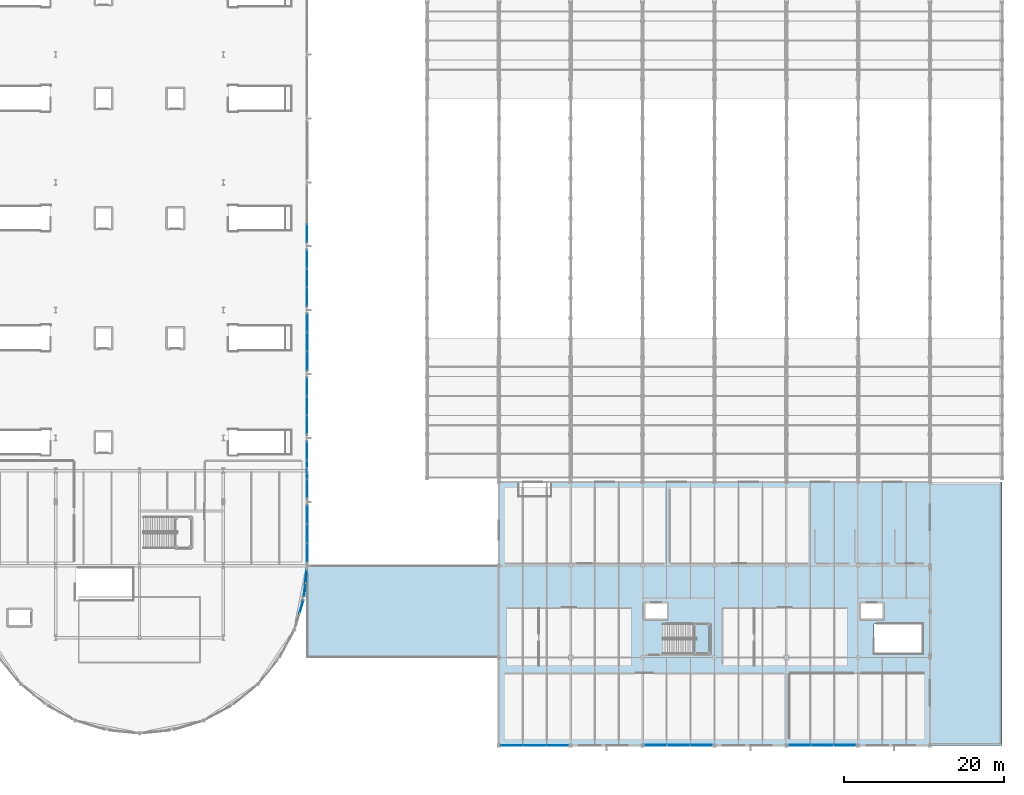
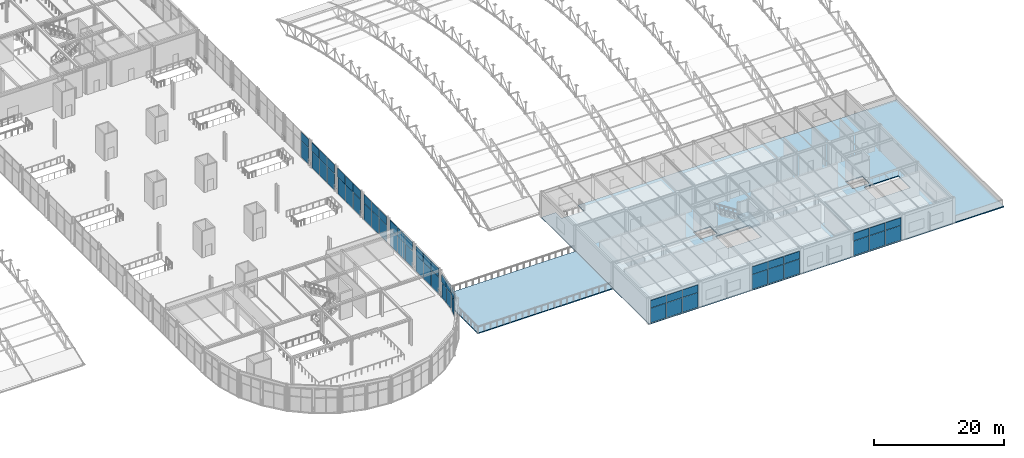
# One storey, part 101 of 195: 56 plates, 3 slabs, 12 elements without a shape of their own.
"""IFC4 building model written with IfcOpenShell, lengths in metres."""

import ifcopenshell
import ifcopenshell.guid

model = None  # the IFC model being written
_history = None  # IfcOwnerHistory: only IFC2X3 demands one
_inside = {}  # id of a spatial element -> (the spatial element, [elements in it])
_under = {}  # id of a project, library or spatial element -> (it, [spatial elements below it])
_declared = {}  # id of a project -> (the project, [libraries it declares])
_typed = {}  # id of a type object -> (the type object, [elements of that type])
_made_of = {}  # id of a material, layer set ... -> (it, [elements and type objects made of it])


def new_model(schema):
    """Start an empty IFC model of exactly this schema.

    Asked for "IFC4X3", IfcOpenShell would pick the latest addendum, in which some entities
    have other attributes; the version numbers below select the first issue.
    IFC2X3 requires an IfcOwnerHistory on every rooted entity: one is made here for all.
    """
    global model, _history
    if schema == "IFC4X3":
        model = ifcopenshell.file(schema_version=(4, 3, 0, 0))
    else:
        model = ifcopenshell.file(schema=schema)
    _inside.clear()
    _under.clear()
    _declared.clear()
    _typed.clear()
    _made_of.clear()
    _history = None
    if model.schema == "IFC2X3":
        org = make("IfcOrganization", Name="unknown")
        user = make(
            "IfcPersonAndOrganization",
            ThePerson=make("IfcPerson", FamilyName="unknown"),
            TheOrganization=org,
        )
        app = make(
            "IfcApplication",
            ApplicationDeveloper=org,
            Version="unknown",
            ApplicationFullName="unknown",
            ApplicationIdentifier="unknown",
        )
        _history = make(
            "IfcOwnerHistory",
            OwningUser=user,
            OwningApplication=app,
            ChangeAction="ADDED",
            CreationDate=0,
        )
    return model


def make(cls, **values):
    """One entity of the class cls with the attributes given. An attribute that is None is left unset."""
    return model.create_entity(
        cls, **{name: value for name, value in values.items() if value is not None}
    )


def rooted(cls, **values):
    """An entity with a GlobalId (a new one), such as an element, a storey or a relation."""
    return make(cls, GlobalId=ifcopenshell.guid.new(), OwnerHistory=_history, **values)


def si_unit(unit_type, name, prefix=None):
    """IfcSIUnit, for example si_unit("LENGTHUNIT", "METRE", prefix="MILLI")."""
    return make("IfcSIUnit", UnitType=unit_type, Prefix=prefix, Name=name)


def assignment(units):
    """IfcUnitAssignment: the units of a project."""
    return None if units is None else make("IfcUnitAssignment", Units=units)


def point(xyz):
    """IfcCartesianPoint."""
    return None if xyz is None else make("IfcCartesianPoint", Coordinates=xyz)


def direction(xyz):
    """IfcDirection."""
    return None if xyz is None else make("IfcDirection", DirectionRatios=xyz)


def frame(location, z_axis=None, x_axis=None):
    """IfcAxis2Placement3D, a coordinate frame: its origin and axes. An axis left out is left unset."""
    return make(
        "IfcAxis2Placement3D",
        Location=point(location),
        Axis=direction(z_axis),
        RefDirection=direction(x_axis),
    )


def frame_2d(location, x_axis=None):
    """IfcAxis2Placement2D, a coordinate frame in the plane: its origin and x axis."""
    return make(
        "IfcAxis2Placement2D", Location=point(location), RefDirection=direction(x_axis)
    )


def origin():
    """The frame at (0, 0, 0) with its axes left unset."""
    return frame((0.0, 0.0, 0.0))


def origin_2d():
    """The frame at (0, 0) in the plane with its x axis left unset."""
    return frame_2d((0.0, 0.0))


def place(relative_to, where):
    """IfcLocalPlacement: puts the frame where relative to a parent placement (None: the world)."""
    return make(
        "IfcLocalPlacement", PlacementRelTo=relative_to, RelativePlacement=where
    )


def context(
    kind, dimensions, precision=None, world=None, true_north=None, identifier=None
):
    """IfcGeometricRepresentationContext, for example the 3D "Model" context."""
    return make(
        "IfcGeometricRepresentationContext",
        ContextIdentifier=identifier,
        ContextType=kind,
        CoordinateSpaceDimension=dimensions,
        Precision=precision,
        WorldCoordinateSystem=world,
        TrueNorth=true_north,
    )


def subcontext(parent, identifier, kind, view, scale=None):
    """IfcGeometricRepresentationSubContext, for example "Body" below "Model"."""
    return make(
        "IfcGeometricRepresentationSubContext",
        ContextIdentifier=identifier,
        ContextType=kind,
        ParentContext=parent,
        TargetScale=scale,
        TargetView=view,
    )


def project(units=None, contexts=None):
    """IfcProject with its units and contexts."""
    return rooted(
        "IfcProject",
        Name="project",
        RepresentationContexts=contexts,
        UnitsInContext=assignment(units),
    )


def spatial(cls, under=None, at=None, **own):
    """A site, building, storey or space (cls), placed at a placement, below another one or the project."""
    s = rooted(cls, ObjectPlacement=at, **own)
    if under is not None:
        _under.setdefault(under.id(), (under, []))[1].append(s)
    return s


def polyline(points):
    """IfcPolyline through the points."""
    return make("IfcPolyline", Points=[point(p) for p in points])


def profile(cls, at=None, kind="AREA", **sizes):
    """A parametric profile (cls). Its sizes go by their IFC names, for example OverallWidth=200.0."""
    return make(cls, ProfileType=kind, Position=at, **sizes)


def rectangle(**sizes):
    """IfcRectangleProfileDef."""
    return profile("IfcRectangleProfileDef", **sizes)


def outline(outer, holes=None, kind="AREA"):
    """IfcArbitraryClosedProfileDef: a profile drawn as a closed curve; with holes, ...WithVoids."""
    if holes is None:
        return make("IfcArbitraryClosedProfileDef", ProfileType=kind, OuterCurve=outer)
    return make(
        "IfcArbitraryProfileDefWithVoids",
        ProfileType=kind,
        OuterCurve=outer,
        InnerCurves=holes,
    )


def extrude(swept, where, along, depth):
    """IfcExtrudedAreaSolid: the profile swept, set in the frame where, extruded along a direction by depth."""
    return make(
        "IfcExtrudedAreaSolid",
        SweptArea=swept,
        Position=where,
        ExtrudedDirection=direction(along),
        Depth=depth,
    )


def shape(context_of_items, identifier, shape_type, items):
    """IfcShapeRepresentation: the items that make up one representation, for example the "Body"."""
    return make(
        "IfcShapeRepresentation",
        ContextOfItems=context_of_items,
        RepresentationIdentifier=identifier,
        RepresentationType=shape_type,
        Items=items,
    )


def material(Name=None, Category=None):
    """IfcMaterial."""
    return make("IfcMaterial", Name=Name, Category=Category)


def layer(
    of_material, thickness, ventilated=None, Name=None, Category=None, Priority=None
):
    """IfcMaterialLayer: one layer of a wall or slab, of a material (None: an air gap)."""
    return make(
        "IfcMaterialLayer",
        Material=of_material,
        LayerThickness=thickness,
        IsVentilated=ventilated,
        Name=Name,
        Category=Category,
        Priority=Priority,
    )


def layer_set(layers, Name=None):
    """IfcMaterialLayerSet."""
    return make("IfcMaterialLayerSet", MaterialLayers=layers, LayerSetName=Name)


def made_of(thing, what):
    """Note that an element or type object is made of a material, layer set ...; save() writes the relation."""
    if what is not None:
        _made_of.setdefault(what.id(), (what, []))[1].append(thing)
    return thing


def type_object(cls, material=None, **own):
    """A type object (cls), such as IfcWallType, which elements share."""
    return made_of(rooted(cls, **own), material)


def element(
    cls,
    number,
    at=None,
    inside=None,
    cuts=None,
    type_object=None,
    material=None,
    context=None,
    identifier="Body",
    shape_type=None,
    held_by="IfcProductDefinitionShape",
    body=None,
    shapes=None,
    **own,
):
    """One element of the class cls, such as IfcWall. Its Tag is "e" and its number.

    at: its placement. inside: the storey or other place that contains it. cuts: it is an
    opening in that element (IfcRelVoidsElement). A single representation is given by context,
    identifier, shape_type and body (its items); several are given by shapes. held_by: the class
    of the entity that holds the representations. save() writes the other relations.
    """
    e = rooted(cls, Tag="e%d" % number, ObjectPlacement=at, **own)
    if body is not None:
        shapes = [shape(context, identifier, shape_type, body)]
    if shapes is not None:
        e.Representation = make(held_by, Representations=shapes)
    if inside is not None:
        _inside.setdefault(inside.id(), (inside, []))[1].append(e)
    if cuts is not None:
        rooted(
            "IfcRelVoidsElement", RelatingBuildingElement=cuts, RelatedOpeningElement=e
        )
    if type_object is not None:
        _typed.setdefault(type_object.id(), (type_object, []))[1].append(e)
    return made_of(e, material)


def aggregate(whole, parts):
    """IfcRelAggregates: a whole, such as a stair, and the parts it consists of."""
    return rooted("IfcRelAggregates", RelatingObject=whole, RelatedObjects=parts)


def save(model, path):
    """Write the relations noted so far, then the file.

    IfcRelAggregates (storeys below a building ...), IfcRelContainedInSpatialStructure (elements
    in a storey), IfcRelDefinesByType, IfcRelAssociatesMaterial and IfcRelDeclares: one each for
    every whole, place, type object, material and project.
    """
    for whole, parts in _under.values():
        aggregate(whole, parts)
    for where, things in _inside.values():
        rooted(
            "IfcRelContainedInSpatialStructure",
            RelatedElements=things,
            RelatingStructure=where,
        )
    for kind, things in _typed.values():
        rooted("IfcRelDefinesByType", RelatedObjects=things, RelatingType=kind)
    for what, things in _made_of.values():
        rooted("IfcRelAssociatesMaterial", RelatedObjects=things, RelatingMaterial=what)
    for by, libraries in _declared.values():
        rooted("IfcRelDeclares", RelatingContext=by, RelatedDefinitions=libraries)
    model.write(path)


model = new_model("IFC4")

# Units and contexts
model_context = context("Model", 3, precision=1e-05, world=origin(), true_north=direction((0.0, 1.0)))
body_context = subcontext(model_context, "Body", "Model", "MODEL_VIEW")
ifc_project = project(units=[si_unit("LENGTHUNIT", "METRE"), si_unit("AREAUNIT", "SQUARE_METRE"), si_unit("VOLUMEUNIT", "CUBIC_METRE"), si_unit("PLANEANGLEUNIT", "RADIAN"), si_unit("MASSUNIT", "GRAM", prefix="KILO")], contexts=[model_context])

# Site, building, storey
site_placement = place(None, origin())
site = spatial("IfcSite", under=ifc_project, at=site_placement, CompositionType="ELEMENT")
building_placement = place(site_placement, origin())
building = spatial("IfcBuilding", under=site, at=building_placement, Name="Marlcrest Central Station", CompositionType="ELEMENT")
storey_placement = place(building_placement, frame((0.0, 0.0, 9.800048828125)))
storey = spatial("IfcBuildingStorey", under=building, at=storey_placement, Name="L02", CompositionType="ELEMENT", Elevation=9.800048828125)

# Curtain wall, plate
ifc_material_1 = material(Name="Anodised aluminium and hurricane laminated glass", Category="aluminium")
ifc_layer_1 = layer(ifc_material_1, 0.219970703125, Name="CW-U1")
ifc_layer_set_1 = layer_set([ifc_layer_1], Name="Anodised aluminium and hurricane laminated glass")
curtain_wall_type_1 = type_object("IfcCurtainWallType", Name="CW-U1", PredefinedType="USERDEFINED", material=ifc_layer_set_1)
curtain_wall_1_placement = place(storey_placement, origin())
curtain_wall_1 = element("IfcCurtainWall", 1, at=curtain_wall_1_placement, inside=storey, type_object=curtain_wall_type_1, Name="cw-L02-0039", ObjectType="UNITISED_CURTAIN_WALL", PredefinedType="USERDEFINED")
ifc_material_2 = material(Name="Hurricane laminated solar-control glass", Category="glass")
ifc_layer_2 = layer(ifc_material_2, 0.031982421875, Name="CP-01")
ifc_layer_set_2 = layer_set([ifc_layer_2], Name="Hurricane laminated solar-control glass")
plate_type_1 = type_object("IfcPlateType", Name="CP-01", PredefinedType="CURTAIN_PANEL", material=ifc_layer_set_2)
plate_1_placement = place(storey_placement, frame((128.28173828125, 17.3671875, 0.080078125), z_axis=(0.0, 0.0, 1.0), x_axis=(-0.290318080597, -0.956930202302, 0.0)))
plate_1 = element("IfcPlate", 2, at=plate_1_placement, type_object=plate_type_1, Name="cw-L02-0039-cp-lo-0", PredefinedType="CURTAIN_PANEL", context=body_context, shape_type="SweptSolid", body=[
    extrude(rectangle(XDim=1.67724609375, YDim=0.031982421875, at=origin_2d()), origin(), (0.0, 0.0, 1.0), 2.804931640625),
])

# Curtain wall, plates
curtain_wall_2_placement = place(storey_placement, origin())
curtain_wall_2 = element("IfcCurtainWall", 3, at=curtain_wall_2_placement, inside=storey, type_object=curtain_wall_type_1, Name="cw-L02-0040", ObjectType="UNITISED_CURTAIN_WALL", PredefinedType="USERDEFINED")
plate_2_placement = place(storey_placement, frame((128.865234375, 21.134521484375, 0.080078125), z_axis=(0.0, 0.0, 1.0), x_axis=(-0.098138724349, -0.995172744192, 0.0)))
plate_2 = element("IfcPlate", 4, at=plate_2_placement, type_object=plate_type_1, Name="cw-L02-0040-cp-lo-0", PredefinedType="CURTAIN_PANEL", context=body_context, shape_type="SweptSolid", body=[
    extrude(rectangle(XDim=1.61669921875, YDim=0.031982421875, at=origin_2d()), origin(), (0.0, 0.0, 1.0), 2.804931640625),
])
plate_3_placement = place(storey_placement, frame((128.69921875, 19.4501953125, 0.080078125), z_axis=(0.0, 0.0, 1.0), x_axis=(-0.098138724349, -0.995172744192, 0.0)))
plate_3 = element("IfcPlate", 5, at=plate_3_placement, type_object=plate_type_1, Name="cw-L02-0040-cp-lo-1", PredefinedType="CURTAIN_PANEL", context=body_context, shape_type="SweptSolid", body=[
    extrude(rectangle(XDim=1.61669921875, YDim=0.031982421875, at=origin_2d()), origin(), (0.0, 0.0, 1.0), 2.804931640625),
])

curtain_wall_3_placement = place(storey_placement, origin())
curtain_wall_3 = element("IfcCurtainWall", 6, at=curtain_wall_3_placement, inside=storey, type_object=curtain_wall_type_1, Name="cw-L02-0100", ObjectType="UNITISED_CURTAIN_WALL", PredefinedType="USERDEFINED")
plate_4_placement = place(storey_placement, frame((129.0, 28.86669921875, 0.080078125), z_axis=(0.0, 0.0, 1.0), x_axis=(0.0, -1.0, 0.0)))
plate_4 = element("IfcPlate", 7, at=plate_4_placement, type_object=plate_type_1, Name="cw-L02-0100-cp-lo-0", PredefinedType="CURTAIN_PANEL", context=body_context, shape_type="SweptSolid", body=[
    extrude(rectangle(XDim=2.290771484375, YDim=0.031982421875, at=origin_2d()), origin(), (0.0, 0.0, 1.0), 3.097900390625),
])
plate_5_placement = place(storey_placement, frame((129.0, 26.5, 0.080078125), z_axis=(0.0, 0.0, 1.0), x_axis=(0.0, -1.0, 0.0)))
plate_5 = element("IfcPlate", 8, at=plate_5_placement, type_object=plate_type_1, Name="cw-L02-0100-cp-lo-1", PredefinedType="CURTAIN_PANEL", context=body_context, shape_type="SweptSolid", body=[
    extrude(rectangle(XDim=2.290771484375, YDim=0.031982421875, at=origin_2d()), origin(), (0.0, 0.0, 1.0), 3.097900390625),
])
plate_6_placement = place(storey_placement, frame((129.0, 24.13330078125, 0.080078125), z_axis=(0.0, 0.0, 1.0), x_axis=(0.0, -1.0, 0.0)))
plate_6 = element("IfcPlate", 9, at=plate_6_placement, type_object=plate_type_1, Name="cw-L02-0100-cp-lo-2", PredefinedType="CURTAIN_PANEL", context=body_context, shape_type="SweptSolid", body=[
    extrude(rectangle(XDim=2.290771484375, YDim=0.031982421875, at=origin_2d()), origin(), (0.0, 0.0, 1.0), 3.097900390625),
])

curtain_wall_4_placement = place(storey_placement, origin())
curtain_wall_4 = element("IfcCurtainWall", 10, at=curtain_wall_4_placement, inside=storey, type_object=curtain_wall_type_1, Name="cw-L02-0104", ObjectType="UNITISED_CURTAIN_WALL", PredefinedType="USERDEFINED")
plate_7_placement = place(storey_placement, frame((129.0, 36.86669921875, 0.080078125), z_axis=(0.0, 0.0, 1.0), x_axis=(0.0, -1.0, 0.0)))
plate_7 = element("IfcPlate", 11, at=plate_7_placement, type_object=plate_type_1, Name="cw-L02-0104-cp-lo-0", PredefinedType="CURTAIN_PANEL", context=body_context, shape_type="SweptSolid", body=[
    extrude(rectangle(XDim=2.290771484375, YDim=0.031982421875, at=origin_2d()), origin(), (0.0, 0.0, 1.0), 3.097900390625),
])
plate_8_placement = place(storey_placement, frame((129.0, 34.5, 0.080078125), z_axis=(0.0, 0.0, 1.0), x_axis=(0.0, -1.0, 0.0)))
plate_8 = element("IfcPlate", 12, at=plate_8_placement, type_object=plate_type_1, Name="cw-L02-0104-cp-lo-1", PredefinedType="CURTAIN_PANEL", context=body_context, shape_type="SweptSolid", body=[
    extrude(rectangle(XDim=2.290771484375, YDim=0.031982421875, at=origin_2d()), origin(), (0.0, 0.0, 1.0), 3.097900390625),
])
plate_9_placement = place(storey_placement, frame((129.0, 32.13330078125, 0.080078125), z_axis=(0.0, 0.0, 1.0), x_axis=(0.0, -1.0, 0.0)))
plate_9 = element("IfcPlate", 13, at=plate_9_placement, type_object=plate_type_1, Name="cw-L02-0104-cp-lo-2", PredefinedType="CURTAIN_PANEL", context=body_context, shape_type="SweptSolid", body=[
    extrude(rectangle(XDim=2.290771484375, YDim=0.031982421875, at=origin_2d()), origin(), (0.0, 0.0, 1.0), 3.097900390625),
])

curtain_wall_5_placement = place(storey_placement, origin())
curtain_wall_5 = element("IfcCurtainWall", 14, at=curtain_wall_5_placement, inside=storey, type_object=curtain_wall_type_1, Name="cw-L02-0108", ObjectType="UNITISED_CURTAIN_WALL", PredefinedType="USERDEFINED")
plate_10_placement = place(storey_placement, frame((129.0, 44.86669921875, 0.080078125), z_axis=(0.0, 0.0, 1.0), x_axis=(0.0, -1.0, 0.0)))
plate_10 = element("IfcPlate", 15, at=plate_10_placement, type_object=plate_type_1, Name="cw-L02-0108-cp-lo-0", PredefinedType="CURTAIN_PANEL", context=body_context, shape_type="SweptSolid", body=[
    extrude(rectangle(XDim=2.290771484375, YDim=0.031982421875, at=origin_2d()), origin(), (0.0, 0.0, 1.0), 3.097900390625),
])
plate_11_placement = place(storey_placement, frame((129.0, 42.5, 0.080078125), z_axis=(0.0, 0.0, 1.0), x_axis=(0.0, -1.0, 0.0)))
plate_11 = element("IfcPlate", 16, at=plate_11_placement, type_object=plate_type_1, Name="cw-L02-0108-cp-lo-1", PredefinedType="CURTAIN_PANEL", context=body_context, shape_type="SweptSolid", body=[
    extrude(rectangle(XDim=2.290771484375, YDim=0.031982421875, at=origin_2d()), origin(), (0.0, 0.0, 1.0), 3.097900390625),
])
plate_12_placement = place(storey_placement, frame((129.0, 40.13330078125, 0.080078125), z_axis=(0.0, 0.0, 1.0), x_axis=(0.0, -1.0, 0.0)))
plate_12 = element("IfcPlate", 17, at=plate_12_placement, type_object=plate_type_1, Name="cw-L02-0108-cp-lo-2", PredefinedType="CURTAIN_PANEL", context=body_context, shape_type="SweptSolid", body=[
    extrude(rectangle(XDim=2.290771484375, YDim=0.031982421875, at=origin_2d()), origin(), (0.0, 0.0, 1.0), 3.097900390625),
])

curtain_wall_6_placement = place(storey_placement, origin())
curtain_wall_6 = element("IfcCurtainWall", 18, at=curtain_wall_6_placement, inside=storey, type_object=curtain_wall_type_1, Name="cw-L02-0112", ObjectType="UNITISED_CURTAIN_WALL", PredefinedType="USERDEFINED")
plate_13_placement = place(storey_placement, frame((129.0, 52.86669921875, 0.080078125), z_axis=(0.0, 0.0, 1.0), x_axis=(0.0, -1.0, 0.0)))
plate_13 = element("IfcPlate", 19, at=plate_13_placement, type_object=plate_type_1, Name="cw-L02-0112-cp-lo-0", PredefinedType="CURTAIN_PANEL", context=body_context, shape_type="SweptSolid", body=[
    extrude(rectangle(XDim=2.290771484375, YDim=0.031982421875, at=origin_2d()), origin(), (0.0, 0.0, 1.0), 3.097900390625),
])
plate_14_placement = place(storey_placement, frame((129.0, 50.5, 0.080078125), z_axis=(0.0, 0.0, 1.0), x_axis=(0.0, -1.0, 0.0)))
plate_14 = element("IfcPlate", 20, at=plate_14_placement, type_object=plate_type_1, Name="cw-L02-0112-cp-lo-1", PredefinedType="CURTAIN_PANEL", context=body_context, shape_type="SweptSolid", body=[
    extrude(rectangle(XDim=2.290771484375, YDim=0.031982421875, at=origin_2d()), origin(), (0.0, 0.0, 1.0), 3.097900390625),
])
plate_15_placement = place(storey_placement, frame((129.0, 48.13330078125, 0.080078125), z_axis=(0.0, 0.0, 1.0), x_axis=(0.0, -1.0, 0.0)))
plate_15 = element("IfcPlate", 21, at=plate_15_placement, type_object=plate_type_1, Name="cw-L02-0112-cp-lo-2", PredefinedType="CURTAIN_PANEL", context=body_context, shape_type="SweptSolid", body=[
    extrude(rectangle(XDim=2.290771484375, YDim=0.031982421875, at=origin_2d()), origin(), (0.0, 0.0, 1.0), 3.097900390625),
])

curtain_wall_7_placement = place(storey_placement, origin())
curtain_wall_7 = element("IfcCurtainWall", 22, at=curtain_wall_7_placement, inside=storey, type_object=curtain_wall_type_1, Name="cw-L02-0116", ObjectType="UNITISED_CURTAIN_WALL", PredefinedType="USERDEFINED")
plate_16_placement = place(storey_placement, frame((129.0, 60.86669921875, 0.080078125), z_axis=(0.0, 0.0, 1.0), x_axis=(0.0, -1.0, 0.0)))
plate_16 = element("IfcPlate", 23, at=plate_16_placement, type_object=plate_type_1, Name="cw-L02-0116-cp-lo-0", PredefinedType="CURTAIN_PANEL", context=body_context, shape_type="SweptSolid", body=[
    extrude(rectangle(XDim=2.290771484375, YDim=0.031982421875, at=origin_2d()), origin(), (0.0, 0.0, 1.0), 3.097900390625),
])
plate_17_placement = place(storey_placement, frame((129.0, 58.5, 0.080078125), z_axis=(0.0, 0.0, 1.0), x_axis=(0.0, -1.0, 0.0)))
plate_17 = element("IfcPlate", 24, at=plate_17_placement, type_object=plate_type_1, Name="cw-L02-0116-cp-lo-1", PredefinedType="CURTAIN_PANEL", context=body_context, shape_type="SweptSolid", body=[
    extrude(rectangle(XDim=2.290771484375, YDim=0.031982421875, at=origin_2d()), origin(), (0.0, 0.0, 1.0), 3.097900390625),
])
plate_18_placement = place(storey_placement, frame((129.0, 56.13330078125, 0.080078125), z_axis=(0.0, 0.0, 1.0), x_axis=(0.0, -1.0, 0.0)))
plate_18 = element("IfcPlate", 25, at=plate_18_placement, type_object=plate_type_1, Name="cw-L02-0116-cp-lo-2", PredefinedType="CURTAIN_PANEL", context=body_context, shape_type="SweptSolid", body=[
    extrude(rectangle(XDim=2.290771484375, YDim=0.031982421875, at=origin_2d()), origin(), (0.0, 0.0, 1.0), 3.097900390625),
])

# Curtain wall, plate
curtain_wall_8_placement = place(storey_placement, origin())
curtain_wall_8 = element("IfcCurtainWall", 26, at=curtain_wall_8_placement, inside=storey, type_object=curtain_wall_type_1, Name="cw-L02-0120", ObjectType="UNITISED_CURTAIN_WALL", PredefinedType="USERDEFINED")
plate_19_placement = place(storey_placement, frame((129.0, 64.13330078125, 0.080078125), z_axis=(0.0, 0.0, 1.0), x_axis=(0.0, -1.0, 0.0)))
plate_19 = element("IfcPlate", 27, at=plate_19_placement, type_object=plate_type_1, Name="cw-L02-0120-cp-lo-2", PredefinedType="CURTAIN_PANEL", context=body_context, shape_type="SweptSolid", body=[
    extrude(rectangle(XDim=2.290771484375, YDim=0.031982421875, at=origin_2d()), origin(), (0.0, 0.0, 1.0), 3.097900390625),
])

# Curtain wall, plates
ifc_layer_3 = layer(ifc_material_1, 0.179931640625, Name="CW-S1")
ifc_layer_set_3 = layer_set([ifc_layer_3], Name="Anodised aluminium and hurricane laminated glass")
curtain_wall_type_2 = type_object("IfcCurtainWallType", Name="CW-S1", PredefinedType="USERDEFINED", material=ifc_layer_set_3)
curtain_wall_9_placement = place(storey_placement, origin())
curtain_wall_9 = element("IfcCurtainWall", 28, at=curtain_wall_9_placement, inside=storey, type_object=curtain_wall_type_2, Name="cw-L02-0153", ObjectType="STICK_CURTAIN_WALL", PredefinedType="USERDEFINED")
ifc_layer_4 = layer(ifc_material_2, 0.035888671875, Name="CP-02")
ifc_layer_set_4 = layer_set([ifc_layer_4], Name="Hurricane laminated solar-control glass")
plate_type_2 = type_object("IfcPlateType", Name="CP-02", PredefinedType="CURTAIN_PANEL", material=ifc_layer_set_4)
plate_20_placement = place(storey_placement, frame((160.333251953125, 0.0, 0.080078125), z_axis=(0.0, 0.0, 1.0), x_axis=(-1.0, 0.0, 0.0)))
plate_20 = element("IfcPlate", 29, at=plate_20_placement, type_object=plate_type_2, Name="cw-L02-0153-cp-lo-0", PredefinedType="CURTAIN_PANEL", context=body_context, shape_type="SweptSolid", body=[
    extrude(rectangle(XDim=2.767333984375, YDim=0.035888671875, at=origin_2d()), origin(), (0.0, 0.0, 1.0), 2.73388671875),
])
plate_21_placement = place(storey_placement, frame((157.5, 0.0, 0.080078125), z_axis=(0.0, 0.0, 1.0), x_axis=(-1.0, 0.0, 0.0)))
plate_21 = element("IfcPlate", 30, at=plate_21_placement, type_object=plate_type_2, Name="cw-L02-0153-cp-lo-1", PredefinedType="CURTAIN_PANEL", context=body_context, shape_type="SweptSolid", body=[
    extrude(rectangle(XDim=2.767333984375, YDim=0.035888671875, at=origin_2d()), origin(), (0.0, 0.0, 1.0), 2.73388671875),
])
plate_22_placement = place(storey_placement, frame((154.666748046875, 0.0, 0.080078125), z_axis=(0.0, 0.0, 1.0), x_axis=(-1.0, 0.0, 0.0)))
plate_22 = element("IfcPlate", 31, at=plate_22_placement, type_object=plate_type_2, Name="cw-L02-0153-cp-lo-2", PredefinedType="CURTAIN_PANEL", context=body_context, shape_type="SweptSolid", body=[
    extrude(rectangle(XDim=2.767333984375, YDim=0.035888671875, at=origin_2d()), origin(), (0.0, 0.0, 1.0), 2.73388671875),
])

curtain_wall_10_placement = place(storey_placement, origin())
curtain_wall_10 = element("IfcCurtainWall", 32, at=curtain_wall_10_placement, inside=storey, type_object=curtain_wall_type_2, Name="cw-L02-0154", ObjectType="STICK_CURTAIN_WALL", PredefinedType="USERDEFINED")
plate_23_placement = place(storey_placement, frame((178.333251953125, 0.0, 0.080078125), z_axis=(0.0, 0.0, 1.0), x_axis=(-1.0, 0.0, 0.0)))
plate_23 = element("IfcPlate", 33, at=plate_23_placement, type_object=plate_type_2, Name="cw-L02-0154-cp-lo-0", PredefinedType="CURTAIN_PANEL", context=body_context, shape_type="SweptSolid", body=[
    extrude(rectangle(XDim=2.767333984375, YDim=0.035888671875, at=origin_2d()), origin(), (0.0, 0.0, 1.0), 2.73388671875),
])
plate_24_placement = place(storey_placement, frame((175.5, 0.0, 0.080078125), z_axis=(0.0, 0.0, 1.0), x_axis=(-1.0, 0.0, 0.0)))
plate_24 = element("IfcPlate", 34, at=plate_24_placement, type_object=plate_type_2, Name="cw-L02-0154-cp-lo-1", PredefinedType="CURTAIN_PANEL", context=body_context, shape_type="SweptSolid", body=[
    extrude(rectangle(XDim=2.767333984375, YDim=0.035888671875, at=origin_2d()), origin(), (0.0, 0.0, 1.0), 2.73388671875),
])
plate_25_placement = place(storey_placement, frame((172.666748046875, 0.0, 0.080078125), z_axis=(0.0, 0.0, 1.0), x_axis=(-1.0, 0.0, 0.0)))
plate_25 = element("IfcPlate", 35, at=plate_25_placement, type_object=plate_type_2, Name="cw-L02-0154-cp-lo-2", PredefinedType="CURTAIN_PANEL", context=body_context, shape_type="SweptSolid", body=[
    extrude(rectangle(XDim=2.767333984375, YDim=0.035888671875, at=origin_2d()), origin(), (0.0, 0.0, 1.0), 2.73388671875),
])

curtain_wall_11_placement = place(storey_placement, origin())
curtain_wall_11 = element("IfcCurtainWall", 36, at=curtain_wall_11_placement, inside=storey, type_object=curtain_wall_type_2, Name="cw-L02-0155", ObjectType="STICK_CURTAIN_WALL", PredefinedType="USERDEFINED")
plate_26_placement = place(storey_placement, frame((196.333251953125, 0.0, 0.080078125), z_axis=(0.0, 0.0, 1.0), x_axis=(-1.0, 0.0, 0.0)))
plate_26 = element("IfcPlate", 37, at=plate_26_placement, type_object=plate_type_2, Name="cw-L02-0155-cp-lo-0", PredefinedType="CURTAIN_PANEL", context=body_context, shape_type="SweptSolid", body=[
    extrude(rectangle(XDim=2.767333984375, YDim=0.035888671875, at=origin_2d()), origin(), (0.0, 0.0, 1.0), 2.73388671875),
])
plate_27_placement = place(storey_placement, frame((193.5, 0.0, 0.080078125), z_axis=(0.0, 0.0, 1.0), x_axis=(-1.0, 0.0, 0.0)))
plate_27 = element("IfcPlate", 38, at=plate_27_placement, type_object=plate_type_2, Name="cw-L02-0155-cp-lo-1", PredefinedType="CURTAIN_PANEL", context=body_context, shape_type="SweptSolid", body=[
    extrude(rectangle(XDim=2.767333984375, YDim=0.035888671875, at=origin_2d()), origin(), (0.0, 0.0, 1.0), 2.73388671875),
])
plate_28_placement = place(storey_placement, frame((190.666748046875, 0.0, 0.080078125), z_axis=(0.0, 0.0, 1.0), x_axis=(-1.0, 0.0, 0.0)))
plate_28 = element("IfcPlate", 39, at=plate_28_placement, type_object=plate_type_2, Name="cw-L02-0155-cp-lo-2", PredefinedType="CURTAIN_PANEL", context=body_context, shape_type="SweptSolid", body=[
    extrude(rectangle(XDim=2.767333984375, YDim=0.035888671875, at=origin_2d()), origin(), (0.0, 0.0, 1.0), 2.73388671875),
])

# Plate
ifc_material_3 = material(Name="Insulated bronze-anodised aluminium spandrel panel", Category="aluminium")
ifc_layer_5 = layer(ifc_material_3, 0.06005859375, Name="CP-04")
ifc_layer_set_5 = layer_set([ifc_layer_5], Name="Insulated bronze-anodised aluminium spandrel panel")
plate_type_3 = type_object("IfcPlateType", Name="CP-04", PredefinedType="CURTAIN_PANEL", material=ifc_layer_set_5)
plate_29_placement = place(storey_placement, frame((129.0, 44.86669921875, 3.2578125), z_axis=(0.0, 0.0, 1.0), x_axis=(0.0, -1.0, 0.0)))
plate_29 = element("IfcPlate", 40, at=plate_29_placement, type_object=plate_type_3, Name="cw-L02-0108-cp-hi-0", PredefinedType="CURTAIN_PANEL", context=body_context, shape_type="SweptSolid", body=[
    extrude(rectangle(XDim=2.290771484375, YDim=0.06005859375, at=origin_2d()), origin(), (0.0, 0.0, 1.0), 1.612060546875),
])

plate_30_placement = place(storey_placement, frame((129.0, 42.5, 3.2578125), z_axis=(0.0, 0.0, 1.0), x_axis=(0.0, -1.0, 0.0)))
plate_30 = element("IfcPlate", 41, at=plate_30_placement, type_object=plate_type_3, Name="cw-L02-0108-cp-hi-1", PredefinedType="CURTAIN_PANEL", context=body_context, shape_type="SweptSolid", body=[
    extrude(rectangle(XDim=2.290771484375, YDim=0.06005859375, at=origin_2d()), origin(), (0.0, 0.0, 1.0), 1.612060546875),
])

plate_31_placement = place(storey_placement, frame((129.0, 40.13330078125, 3.2578125), z_axis=(0.0, 0.0, 1.0), x_axis=(0.0, -1.0, 0.0)))
plate_31 = element("IfcPlate", 42, at=plate_31_placement, type_object=plate_type_3, Name="cw-L02-0108-cp-hi-2", PredefinedType="CURTAIN_PANEL", context=body_context, shape_type="SweptSolid", body=[
    extrude(rectangle(XDim=2.290771484375, YDim=0.06005859375, at=origin_2d()), origin(), (0.0, 0.0, 1.0), 1.612060546875),
])

aggregate(curtain_wall_5, [plate_10, plate_29, plate_11, plate_30, plate_12, plate_31])

plate_32_placement = place(storey_placement, frame((129.0, 64.13330078125, 3.2578125), z_axis=(0.0, 0.0, 1.0), x_axis=(0.0, -1.0, 0.0)))
plate_32 = element("IfcPlate", 43, at=plate_32_placement, type_object=plate_type_3, Name="cw-L02-0120-cp-hi-2", PredefinedType="CURTAIN_PANEL", context=body_context, shape_type="SweptSolid", body=[
    extrude(rectangle(XDim=2.290771484375, YDim=0.06005859375, at=origin_2d()), origin(), (0.0, 0.0, 1.0), 1.612060546875),
])

aggregate(curtain_wall_8, [plate_19, plate_32])

ifc_material_4 = material(Name="Insulated acoustic spandrel panel")
ifc_layer_6 = layer(ifc_material_4, 0.074951171875, Name="CP-06")
ifc_layer_set_6 = layer_set([ifc_layer_6], Name="Insulated acoustic spandrel panel")
plate_type_4 = type_object("IfcPlateType", Name="CP-06", PredefinedType="CURTAIN_PANEL", material=ifc_layer_set_6)
plate_33_placement = place(storey_placement, frame((129.0, 36.86669921875, 3.2578125), z_axis=(0.0, 0.0, 1.0), x_axis=(0.0, -1.0, 0.0)))
plate_33 = element("IfcPlate", 44, at=plate_33_placement, type_object=plate_type_4, Name="cw-L02-0104-cp-hi-0", PredefinedType="CURTAIN_PANEL", context=body_context, shape_type="SweptSolid", body=[
    extrude(rectangle(XDim=2.290771484375, YDim=0.074951171875, at=origin_2d()), origin(), (0.0, 0.0, 1.0), 1.612060546875),
])

plate_34_placement = place(storey_placement, frame((129.0, 34.5, 3.2578125), z_axis=(0.0, 0.0, 1.0), x_axis=(0.0, -1.0, 0.0)))
plate_34 = element("IfcPlate", 45, at=plate_34_placement, type_object=plate_type_4, Name="cw-L02-0104-cp-hi-1", PredefinedType="CURTAIN_PANEL", context=body_context, shape_type="SweptSolid", body=[
    extrude(rectangle(XDim=2.290771484375, YDim=0.074951171875, at=origin_2d()), origin(), (0.0, 0.0, 1.0), 1.612060546875),
])

plate_35_placement = place(storey_placement, frame((129.0, 32.13330078125, 3.2578125), z_axis=(0.0, 0.0, 1.0), x_axis=(0.0, -1.0, 0.0)))
plate_35 = element("IfcPlate", 46, at=plate_35_placement, type_object=plate_type_4, Name="cw-L02-0104-cp-hi-2", PredefinedType="CURTAIN_PANEL", context=body_context, shape_type="SweptSolid", body=[
    extrude(rectangle(XDim=2.290771484375, YDim=0.074951171875, at=origin_2d()), origin(), (0.0, 0.0, 1.0), 1.612060546875),
])

aggregate(curtain_wall_4, [plate_7, plate_33, plate_8, plate_34, plate_9, plate_35])

plate_36_placement = place(storey_placement, frame((129.0, 60.86669921875, 3.2578125), z_axis=(0.0, 0.0, 1.0), x_axis=(0.0, -1.0, 0.0)))
plate_36 = element("IfcPlate", 47, at=plate_36_placement, type_object=plate_type_4, Name="cw-L02-0116-cp-hi-0", PredefinedType="CURTAIN_PANEL", context=body_context, shape_type="SweptSolid", body=[
    extrude(rectangle(XDim=2.290771484375, YDim=0.074951171875, at=origin_2d()), origin(), (0.0, 0.0, 1.0), 1.612060546875),
])

plate_37_placement = place(storey_placement, frame((129.0, 58.5, 3.2578125), z_axis=(0.0, 0.0, 1.0), x_axis=(0.0, -1.0, 0.0)))
plate_37 = element("IfcPlate", 48, at=plate_37_placement, type_object=plate_type_4, Name="cw-L02-0116-cp-hi-1", PredefinedType="CURTAIN_PANEL", context=body_context, shape_type="SweptSolid", body=[
    extrude(rectangle(XDim=2.290771484375, YDim=0.074951171875, at=origin_2d()), origin(), (0.0, 0.0, 1.0), 1.612060546875),
])

plate_38_placement = place(storey_placement, frame((129.0, 56.13330078125, 3.2578125), z_axis=(0.0, 0.0, 1.0), x_axis=(0.0, -1.0, 0.0)))
plate_38 = element("IfcPlate", 49, at=plate_38_placement, type_object=plate_type_4, Name="cw-L02-0116-cp-hi-2", PredefinedType="CURTAIN_PANEL", context=body_context, shape_type="SweptSolid", body=[
    extrude(rectangle(XDim=2.290771484375, YDim=0.074951171875, at=origin_2d()), origin(), (0.0, 0.0, 1.0), 1.612060546875),
])

aggregate(curtain_wall_7, [plate_16, plate_36, plate_17, plate_37, plate_18, plate_38])

ifc_material_5 = material(Name="Insulated hurricane-rated spandrel panel")
ifc_layer_7 = layer(ifc_material_5, 0.090087890625, Name="CP-07")
ifc_layer_set_7 = layer_set([ifc_layer_7], Name="Insulated hurricane-rated spandrel panel")
plate_type_5 = type_object("IfcPlateType", Name="CP-07", PredefinedType="CURTAIN_PANEL", material=ifc_layer_set_7)
plate_39_placement = place(storey_placement, frame((128.28173828125, 17.3671875, 2.96484375), z_axis=(0.0, 0.0, 1.0), x_axis=(-0.290318080597, -0.956930202302, 0.0)))
plate_39 = element("IfcPlate", 50, at=plate_39_placement, type_object=plate_type_5, Name="cw-L02-0039-cp-hi-0", PredefinedType="CURTAIN_PANEL", context=body_context, shape_type="SweptSolid", body=[
    extrude(rectangle(XDim=1.67724609375, YDim=0.090087890625, at=origin_2d()), origin(), (0.0, 0.0, 1.0), 1.455078125),
])

aggregate(curtain_wall_1, [plate_1, plate_39])

plate_40_placement = place(storey_placement, frame((160.333251953125, 0.0, 2.89404296875), z_axis=(0.0, 0.0, 1.0), x_axis=(-1.0, 0.0, 0.0)))
plate_40 = element("IfcPlate", 51, at=plate_40_placement, type_object=plate_type_5, Name="cw-L02-0153-cp-hi-0", PredefinedType="CURTAIN_PANEL", context=body_context, shape_type="SweptSolid", body=[
    extrude(rectangle(XDim=2.767333984375, YDim=0.090087890625, at=origin_2d()), origin(), (0.0, 0.0, 1.0), 1.416015625),
])

plate_41_placement = place(storey_placement, frame((157.5, 0.0, 2.89404296875), z_axis=(0.0, 0.0, 1.0), x_axis=(-1.0, 0.0, 0.0)))
plate_41 = element("IfcPlate", 52, at=plate_41_placement, type_object=plate_type_5, Name="cw-L02-0153-cp-hi-1", PredefinedType="CURTAIN_PANEL", context=body_context, shape_type="SweptSolid", body=[
    extrude(rectangle(XDim=2.767333984375, YDim=0.090087890625, at=origin_2d()), origin(), (0.0, 0.0, 1.0), 1.416015625),
])

plate_42_placement = place(storey_placement, frame((154.666748046875, 0.0, 2.89404296875), z_axis=(0.0, 0.0, 1.0), x_axis=(-1.0, 0.0, 0.0)))
plate_42 = element("IfcPlate", 53, at=plate_42_placement, type_object=plate_type_5, Name="cw-L02-0153-cp-hi-2", PredefinedType="CURTAIN_PANEL", context=body_context, shape_type="SweptSolid", body=[
    extrude(rectangle(XDim=2.767333984375, YDim=0.090087890625, at=origin_2d()), origin(), (0.0, 0.0, 1.0), 1.416015625),
])

aggregate(curtain_wall_9, [plate_20, plate_40, plate_21, plate_41, plate_22, plate_42])

ifc_material_6 = material(Name="Insulated shadow-box spandrel panel")
ifc_layer_8 = layer(ifc_material_6, 0.10498046875, Name="CP-08")
ifc_layer_set_8 = layer_set([ifc_layer_8], Name="Insulated shadow-box spandrel panel")
plate_type_6 = type_object("IfcPlateType", Name="CP-08", PredefinedType="CURTAIN_PANEL", material=ifc_layer_set_8)
plate_43_placement = place(storey_placement, frame((128.865234375, 21.134521484375, 2.96484375), z_axis=(0.0, 0.0, 1.0), x_axis=(-0.098138724349, -0.995172744192, 0.0)))
plate_43 = element("IfcPlate", 54, at=plate_43_placement, type_object=plate_type_6, Name="cw-L02-0040-cp-hi-0", PredefinedType="CURTAIN_PANEL", context=body_context, shape_type="SweptSolid", body=[
    extrude(rectangle(XDim=1.61669921875, YDim=0.10498046875, at=origin_2d()), origin(), (0.0, 0.0, 1.0), 1.455078125),
])

plate_44_placement = place(storey_placement, frame((128.69921875, 19.4501953125, 2.96484375), z_axis=(0.0, 0.0, 1.0), x_axis=(-0.098138724349, -0.995172744192, 0.0)))
plate_44 = element("IfcPlate", 55, at=plate_44_placement, type_object=plate_type_6, Name="cw-L02-0040-cp-hi-1", PredefinedType="CURTAIN_PANEL", context=body_context, shape_type="SweptSolid", body=[
    extrude(rectangle(XDim=1.61669921875, YDim=0.10498046875, at=origin_2d()), origin(), (0.0, 0.0, 1.0), 1.455078125),
])

aggregate(curtain_wall_2, [plate_2, plate_43, plate_3, plate_44])

plate_45_placement = place(storey_placement, frame((129.0, 28.86669921875, 3.2578125), z_axis=(0.0, 0.0, 1.0), x_axis=(0.0, -1.0, 0.0)))
plate_45 = element("IfcPlate", 56, at=plate_45_placement, type_object=plate_type_6, Name="cw-L02-0100-cp-hi-0", PredefinedType="CURTAIN_PANEL", context=body_context, shape_type="SweptSolid", body=[
    extrude(rectangle(XDim=2.290771484375, YDim=0.10498046875, at=origin_2d()), origin(), (0.0, 0.0, 1.0), 1.612060546875),
])

plate_46_placement = place(storey_placement, frame((129.0, 26.5, 3.2578125), z_axis=(0.0, 0.0, 1.0), x_axis=(0.0, -1.0, 0.0)))
plate_46 = element("IfcPlate", 57, at=plate_46_placement, type_object=plate_type_6, Name="cw-L02-0100-cp-hi-1", PredefinedType="CURTAIN_PANEL", context=body_context, shape_type="SweptSolid", body=[
    extrude(rectangle(XDim=2.290771484375, YDim=0.10498046875, at=origin_2d()), origin(), (0.0, 0.0, 1.0), 1.612060546875),
])

plate_47_placement = place(storey_placement, frame((129.0, 24.13330078125, 3.2578125), z_axis=(0.0, 0.0, 1.0), x_axis=(0.0, -1.0, 0.0)))
plate_47 = element("IfcPlate", 58, at=plate_47_placement, type_object=plate_type_6, Name="cw-L02-0100-cp-hi-2", PredefinedType="CURTAIN_PANEL", context=body_context, shape_type="SweptSolid", body=[
    extrude(rectangle(XDim=2.290771484375, YDim=0.10498046875, at=origin_2d()), origin(), (0.0, 0.0, 1.0), 1.612060546875),
])

aggregate(curtain_wall_3, [plate_4, plate_45, plate_5, plate_46, plate_6, plate_47])

plate_48_placement = place(storey_placement, frame((129.0, 52.86669921875, 3.2578125), z_axis=(0.0, 0.0, 1.0), x_axis=(0.0, -1.0, 0.0)))
plate_48 = element("IfcPlate", 59, at=plate_48_placement, type_object=plate_type_6, Name="cw-L02-0112-cp-hi-0", PredefinedType="CURTAIN_PANEL", context=body_context, shape_type="SweptSolid", body=[
    extrude(rectangle(XDim=2.290771484375, YDim=0.10498046875, at=origin_2d()), origin(), (0.0, 0.0, 1.0), 1.612060546875),
])

plate_49_placement = place(storey_placement, frame((129.0, 50.5, 3.2578125), z_axis=(0.0, 0.0, 1.0), x_axis=(0.0, -1.0, 0.0)))
plate_49 = element("IfcPlate", 60, at=plate_49_placement, type_object=plate_type_6, Name="cw-L02-0112-cp-hi-1", PredefinedType="CURTAIN_PANEL", context=body_context, shape_type="SweptSolid", body=[
    extrude(rectangle(XDim=2.290771484375, YDim=0.10498046875, at=origin_2d()), origin(), (0.0, 0.0, 1.0), 1.612060546875),
])

plate_50_placement = place(storey_placement, frame((129.0, 48.13330078125, 3.2578125), z_axis=(0.0, 0.0, 1.0), x_axis=(0.0, -1.0, 0.0)))
plate_50 = element("IfcPlate", 61, at=plate_50_placement, type_object=plate_type_6, Name="cw-L02-0112-cp-hi-2", PredefinedType="CURTAIN_PANEL", context=body_context, shape_type="SweptSolid", body=[
    extrude(rectangle(XDim=2.290771484375, YDim=0.10498046875, at=origin_2d()), origin(), (0.0, 0.0, 1.0), 1.612060546875),
])

aggregate(curtain_wall_6, [plate_13, plate_48, plate_14, plate_49, plate_15, plate_50])

plate_51_placement = place(storey_placement, frame((178.333251953125, 0.0, 2.89404296875), z_axis=(0.0, 0.0, 1.0), x_axis=(-1.0, 0.0, 0.0)))
plate_51 = element("IfcPlate", 62, at=plate_51_placement, type_object=plate_type_6, Name="cw-L02-0154-cp-hi-0", PredefinedType="CURTAIN_PANEL", context=body_context, shape_type="SweptSolid", body=[
    extrude(rectangle(XDim=2.767333984375, YDim=0.10498046875, at=origin_2d()), origin(), (0.0, 0.0, 1.0), 1.416015625),
])

plate_52_placement = place(storey_placement, frame((175.5, 0.0, 2.89404296875), z_axis=(0.0, 0.0, 1.0), x_axis=(-1.0, 0.0, 0.0)))
plate_52 = element("IfcPlate", 63, at=plate_52_placement, type_object=plate_type_6, Name="cw-L02-0154-cp-hi-1", PredefinedType="CURTAIN_PANEL", context=body_context, shape_type="SweptSolid", body=[
    extrude(rectangle(XDim=2.767333984375, YDim=0.10498046875, at=origin_2d()), origin(), (0.0, 0.0, 1.0), 1.416015625),
])

plate_53_placement = place(storey_placement, frame((172.666748046875, 0.0, 2.89404296875), z_axis=(0.0, 0.0, 1.0), x_axis=(-1.0, 0.0, 0.0)))
plate_53 = element("IfcPlate", 64, at=plate_53_placement, type_object=plate_type_6, Name="cw-L02-0154-cp-hi-2", PredefinedType="CURTAIN_PANEL", context=body_context, shape_type="SweptSolid", body=[
    extrude(rectangle(XDim=2.767333984375, YDim=0.10498046875, at=origin_2d()), origin(), (0.0, 0.0, 1.0), 1.416015625),
])

aggregate(curtain_wall_10, [plate_23, plate_51, plate_24, plate_52, plate_25, plate_53])

ifc_material_7 = material(Name="Insulated fire-safing spandrel panel")
ifc_layer_9 = layer(ifc_material_7, 0.1201171875, Name="CP-09")
ifc_layer_set_9 = layer_set([ifc_layer_9], Name="Insulated fire-safing spandrel panel")
plate_type_7 = type_object("IfcPlateType", Name="CP-09", PredefinedType="CURTAIN_PANEL", material=ifc_layer_set_9)
plate_54_placement = place(storey_placement, frame((196.333251953125, 0.0, 2.89404296875), z_axis=(0.0, 0.0, 1.0), x_axis=(-1.0, 0.0, 0.0)))
plate_54 = element("IfcPlate", 65, at=plate_54_placement, type_object=plate_type_7, Name="cw-L02-0155-cp-hi-0", PredefinedType="CURTAIN_PANEL", context=body_context, shape_type="SweptSolid", body=[
    extrude(rectangle(XDim=2.767333984375, YDim=0.1201171875, at=origin_2d()), origin(), (0.0, 0.0, 1.0), 1.416015625),
])

plate_55_placement = place(storey_placement, frame((193.5, 0.0, 2.89404296875), z_axis=(0.0, 0.0, 1.0), x_axis=(-1.0, 0.0, 0.0)))
plate_55 = element("IfcPlate", 66, at=plate_55_placement, type_object=plate_type_7, Name="cw-L02-0155-cp-hi-1", PredefinedType="CURTAIN_PANEL", context=body_context, shape_type="SweptSolid", body=[
    extrude(rectangle(XDim=2.767333984375, YDim=0.1201171875, at=origin_2d()), origin(), (0.0, 0.0, 1.0), 1.416015625),
])

plate_56_placement = place(storey_placement, frame((190.666748046875, 0.0, 2.89404296875), z_axis=(0.0, 0.0, 1.0), x_axis=(-1.0, 0.0, 0.0)))
plate_56 = element("IfcPlate", 67, at=plate_56_placement, type_object=plate_type_7, Name="cw-L02-0155-cp-hi-2", PredefinedType="CURTAIN_PANEL", context=body_context, shape_type="SweptSolid", body=[
    extrude(rectangle(XDim=2.767333984375, YDim=0.1201171875, at=origin_2d()), origin(), (0.0, 0.0, 1.0), 1.416015625),
])

aggregate(curtain_wall_11, [plate_26, plate_54, plate_27, plate_55, plate_28, plate_56])

# Slabs
ifc_material_8 = material(Name="Concrete C35/45", Category="concrete")
ifc_layer_10 = layer(ifc_material_8, 0.179931640625, Name="FS-01")
ifc_layer_set_10 = layer_set([ifc_layer_10], Name="Concrete C35/45")
slab_type_1 = type_object("IfcSlabType", Name="FS-01", PredefinedType="FLOOR", material=ifc_layer_set_10)
slab_1_placement = place(storey_placement, frame((0.0, 0.0, -0.179931640625)))
element("IfcSlab", 68, at=slab_1_placement, inside=storey, type_object=slab_type_1, Name="slab-L02-0016", PredefinedType="FLOOR", context=body_context, shape_type="SweptSolid", body=[
    extrude(outline(polyline([(153.0, 0.0), (216.0, 0.0), (216.0, 33.0), (159.5, 33.0), (159.5, 31.199951171875), (155.5, 31.199951171875), (155.5, 33.0), (153.0, 33.0), (153.0, 0.0)]), holes=[polyline([(173.60009765625, 11.5), (179.64990234375, 11.5), (179.64990234375, 15.199951171875), (173.60009765625, 15.199951171875), (173.60009765625, 11.5)]), polyline([(171.219970703125, 15.719970703125), (174.179931640625, 15.719970703125), (174.179931640625, 17.8798828125), (171.219970703125, 17.8798828125), (171.219970703125, 15.719970703125)]), polyline([(200.0, 11.5), (206.050048828125, 11.5), (206.050048828125, 15.199951171875), (200.0, 15.199951171875), (200.0, 11.5)]), polyline([(198.219970703125, 15.719970703125), (201.179931640625, 15.719970703125), (201.179931640625, 17.8798828125), (198.219970703125, 17.8798828125), (198.219970703125, 15.719970703125)])]), origin(), (0.0, 0.0, 1.0), 0.179931640625),
])
slab_2_placement = place(storey_placement, frame((0.0, 0.0, -0.179931640625)))
element("IfcSlab", 69, at=slab_2_placement, inside=storey, type_object=slab_type_1, Name="slab-L02-0098", PredefinedType="FLOOR", context=body_context, shape_type="SweptSolid", body=[
    extrude(outline(polyline([(129.0, 11.0), (129.0, 22.5), (153.0, 22.5), (153.0, 11.0), (129.0, 11.0)])), origin(), (0.0, 0.0, 1.0), 0.179931640625),
])

# Stair, slab
stair_type = type_object("IfcStairType", Name="ST-HTS", PredefinedType="HALF_TURN_STAIR", material=ifc_material_8)
stair_placement = place(storey_placement, origin())
stair = element("IfcStair", 70, at=stair_placement, inside=storey, type_object=stair_type, Name="ST-R12", PredefinedType="HALF_TURN_STAIR")
ifc_layer_11 = layer(ifc_material_8, 0.320068359375, Name="LS-01")
ifc_layer_set_11 = layer_set([ifc_layer_11], Name="Concrete C35/45")
slab_type_2 = type_object("IfcSlabType", Name="LS-01", PredefinedType="LANDING", material=ifc_layer_set_11)
slab_3_placement = place(storey_placement, frame((0.0, 0.0, 2.280029296875)))
slab_3 = element("IfcSlab", 71, at=slab_3_placement, type_object=slab_type_2, Name="ST-R12-L1", PredefinedType="LANDING", context=body_context, shape_type="SweptSolid", body=[
    extrude(outline(polyline([(177.429931640625, 11.469970703125), (179.429931640625, 11.469970703125), (179.429931640625, 15.22998046875), (177.429931640625, 15.22998046875), (177.429931640625, 13.409912109375), (177.679931640625, 13.409912109375), (177.679931640625, 13.2900390625), (177.429931640625, 13.2900390625), (177.429931640625, 11.469970703125)])), origin(), (0.0, 0.0, 1.0), 0.31982421875),
])
aggregate(stair, [slab_3])

save(model, "model.ifc")
